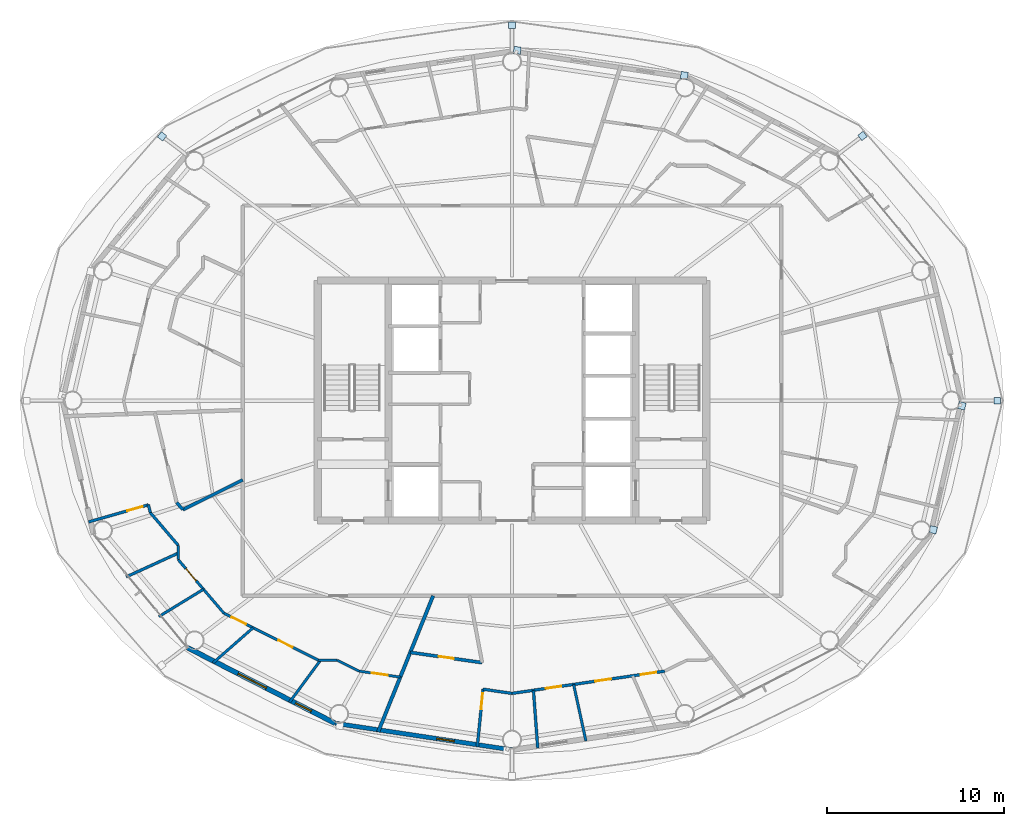
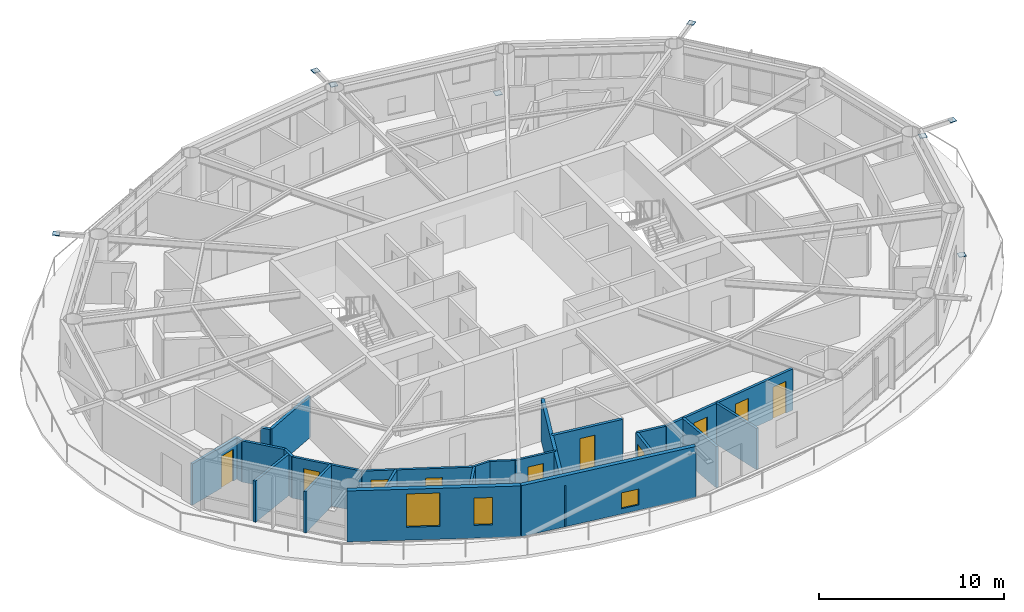
# One storey, part 15 of 23: 25 walls, 10 doors, 8 plates, 3 windows, 13 openings.
"""IFC4 building model written with IfcOpenShell, lengths in metres."""

from ifc_helpers import new_model, si_unit, direction, frame, frame_2d, origin, origin_2d, place, context, subcontext, project, spatial, rectangle, extrude, material, layer, layer_set, type_object, element, fill, save


model = new_model("IFC4")

# Units and contexts
model_context = context("Model", 3, precision=1e-05, world=origin(), true_north=direction((0.0, 1.0)))
body_context = subcontext(model_context, "Body", "Model", "MODEL_VIEW")
ifc_project = project(units=[si_unit("LENGTHUNIT", "METRE"), si_unit("AREAUNIT", "SQUARE_METRE"), si_unit("VOLUMEUNIT", "CUBIC_METRE"), si_unit("PLANEANGLEUNIT", "RADIAN"), si_unit("MASSUNIT", "GRAM", prefix="KILO")], contexts=[model_context])

# Site, building, storey
site_placement = place(None, origin())
site = spatial("IfcSite", under=ifc_project, at=site_placement, CompositionType="ELEMENT")
building_placement = place(site_placement, origin())
building = spatial("IfcBuilding", under=site, at=building_placement, Name="Sarneth Arch Tower", CompositionType="ELEMENT")
storey_placement = place(building_placement, frame((0.0, 0.0, 242.39990234375)))
storey = spatial("IfcBuildingStorey", under=building, at=storey_placement, Name="L62", CompositionType="ELEMENT", Elevation=242.39990234375)

# Plates
ifc_material_1 = material(Name="Steel S355", Category="steel")
ifc_layer_1 = layer(ifc_material_1, 0.035888671875)
ifc_layer_set_1 = layer_set([ifc_layer_1], Name="Steel S355")
plate_type = type_object("IfcPlateType", Name="PLT-GUSSET-30", PredefinedType="SHEET", material=ifc_layer_set_1)
for number, where, z_axis, x_axis, name in (
    (1, (75.482421875, 42.0, 3.18212890625), (0.0, 0.0, 1.0), (1.0, 0.0, 0.0), "Steel end cap plate GP-1"),
    (2, (67.845703125, 56.9892578125, 3.18212890625), (0.0, 0.0, 1.0), (0.798004853043, 0.602651022168, 0.0), "Steel end cap plate GP-1"),
):
    element("IfcPlate", number, at=place(storey_placement, frame(where, z_axis=z_axis, x_axis=x_axis)), inside=storey, type_object=plate_type, Name=name, PredefinedType="SHEET", context=body_context, shape_type="SweptSolid", body=[
        extrude(rectangle(XDim=0.3798828125, YDim=0.3798828125, at=origin_2d()), origin(), (0.0, 0.0, 1.0), 0.035888671875),
    ])
for number, where, z_axis, x_axis, name in (
    (3, (57.754150390625, 60.411376953125, 0.001953125), (0.0, 0.0, 1.0), (-0.988860535448, 0.148845024885, 0.0), "Steel end cap plate GP-1"),
    (4, (48.296630859375, 61.83544921875, 3.0185546875), (0.0, 0.0, 1.0), (-0.988860535448, 0.148845024885, 0.0), "Steel end cap plate GP-1"),
):
    element("IfcPlate", number, at=place(storey_placement, frame(where, z_axis=z_axis, x_axis=x_axis)), inside=storey, type_object=plate_type, Name=name, PredefinedType="SHEET", context=body_context, shape_type="SweptSolid", body=[
        extrude(rectangle(XDim=0.404052734375, YDim=0.404052734375, at=origin_2d()), origin(), (0.0, 0.0, 1.0), 0.035888671875),
    ])
for number, where, z_axis, x_axis, name in (
    (5, (48.0, 63.250732421875, 3.18212890625), (0.0, 0.0, 1.0), (0.0, 1.0, 0.0), "Steel end cap plate GP-1"),
    (6, (28.184814453125, 56.966064453125, 3.18212890625), (0.0, 0.0, 1.0), (-0.798004853043, 0.602651022168, 0.0), "Steel end cap plate GP-1"),
):
    element("IfcPlate", number, at=place(storey_placement, frame(where, z_axis=z_axis, x_axis=x_axis)), inside=storey, type_object=plate_type, Name=name, PredefinedType="SHEET", context=body_context, shape_type="SweptSolid", body=[
        extrude(rectangle(XDim=0.3798828125, YDim=0.3798828125, at=origin_2d()), origin(), (0.0, 0.0, 1.0), 0.035888671875),
    ])
for number, where, z_axis, x_axis, name in (
    (7, (71.851806640625, 34.6845703125, 0.001953125), (0.0, 0.0, 1.0), (0.225461202458, 0.974252147129, 0.0), "Steel end cap plate GP-1"),
    (8, (73.4765625, 41.707763671875, 3.0185546875), (0.0, 0.0, 1.0), (0.225461202458, 0.974252147129, 0.0), "Steel end cap plate GP-1"),
):
    element("IfcPlate", number, at=place(storey_placement, frame(where, z_axis=z_axis, x_axis=x_axis)), inside=storey, type_object=plate_type, Name=name, PredefinedType="SHEET", context=body_context, shape_type="SweptSolid", body=[
        extrude(rectangle(XDim=0.404052734375, YDim=0.404052734375, at=origin_2d()), origin(), (0.0, 0.0, 1.0), 0.035888671875),
    ])

# Wall, opening, window
ifc_material_2 = material(Name="Extruded terracotta rainscreen on Concrete C40/50 backing", Category="masonry")
ifc_layer_2 = layer(ifc_material_2, 0.25)
ifc_layer_set_2 = layer_set([ifc_layer_2], Name="Extruded terracotta rainscreen on Concrete C40/50 backing")
wall_type_1 = type_object("IfcWallType", Name="WALL-EXT-SPAND-250", PredefinedType="SOLIDWALL", material=ifc_layer_set_2)
wall_1_placement = place(storey_placement, frame((37.9873046875, 23.7255859375, 0.0), z_axis=(0.0, 0.0, 1.0), x_axis=(0.988882522213, -0.148698881169, 0.0)))
wall_1 = element("IfcWall", 9, at=wall_1_placement, inside=storey, type_object=wall_type_1, Name="L62 Terracotta perimeter wall 12", PredefinedType="SOLIDWALL", context=body_context, shape_type="SweptSolid", body=[
    extrude(rectangle(XDim=10.125244140625, YDim=0.25, at=frame_2d((5.0625, 0.0))), origin(), (0.0, 0.0, 1.0), 3.360107421875),
])
opening_1_placement = place(wall_1_placement, frame((5.81640625, 0.0, 0.35009765625)))
opening_1 = element("IfcOpeningElement", 10, at=opening_1_placement, cuts=wall_1, Name="Opening W-14", PredefinedType="OPENING", context=body_context, shape_type="SweptSolid", body=[
    extrude(rectangle(XDim=1.0, YDim=1.050048828125, at=frame_2d((0.5, 0.52490234375))), frame((0.0, 0.135009765625, 0.0), z_axis=(0.0, -1.0, 0.0), x_axis=(1.0, 0.0, 0.0)), (0.0, 0.0, 1.0), 0.27001953125),
])
ifc_material_3 = material(Name="Thermally broken Aluminium 6063-T6 and low-e laminated IGU", Category="aluminium")
window_type_1 = type_object("IfcWindowType", Name="WIN-TWR-1000x1050", PartitioningType="SINGLE_PANEL", PredefinedType="WINDOW", material=ifc_material_3)
window_1_placement = place(opening_1_placement, origin())
window_1 = element("IfcWindow", 11, at=window_1_placement, inside=storey, type_object=window_type_1, Name="L62 Dwelling bedroom window 05", OverallHeight=1.050048828125, OverallWidth=1.0, PartitioningType="SINGLE_PANEL", PredefinedType="WINDOW", context=body_context, shape_type="SweptSolid", body=[
    extrude(rectangle(XDim=1.0, YDim=1.050048828125, at=frame_2d((0.5, 0.52490234375))), frame((0.0, 0.030029296875, 0.0), z_axis=(0.0, -1.0, 0.0), x_axis=(1.0, 0.0, 0.0)), (0.0, 0.0, 1.0), 0.06005859375),
])
fill(opening_1, window_1)

# Wall, openings, windows
ifc_material_4 = material(Name="Extruded terracotta rainscreen on Concrete C40/50 backing", Category="masonry")
ifc_layer_3 = layer(ifc_material_4, 0.280029296875)
ifc_layer_set_3 = layer_set([ifc_layer_3], Name="Extruded terracotta rainscreen on Concrete C40/50 backing")
wall_type_2 = type_object("IfcWallType", Name="WALL-EXT-TERRA-280", PredefinedType="SOLIDWALL", material=ifc_layer_set_3)
wall_2_placement = place(storey_placement, frame((29.617431640625, 28.013427734375, 0.0), z_axis=(0.0, 0.0, 1.0), x_axis=(0.890007394051, -0.455946091699, 0.0)))
wall_2 = element("IfcWall", 12, at=wall_2_placement, inside=storey, type_object=wall_type_2, Name="L62 Terracotta perimeter wall 11", PredefinedType="SOLIDWALL", context=body_context, shape_type="SweptSolid", body=[
    extrude(rectangle(XDim=9.404296875, YDim=0.280029296875, at=frame_2d((4.7021484375, 0.0))), origin(), (0.0, 0.0, 1.0), 3.360107421875),
])
opening_2_placement = place(wall_2_placement, frame((3.2236328125, 0.0, 0.85009765625)))
opening_2 = element("IfcOpeningElement", 13, at=opening_2_placement, cuts=wall_2, Name="Opening W-04", PredefinedType="OPENING", context=body_context, shape_type="SweptSolid", body=[
    extrude(rectangle(XDim=1.800048828125, YDim=2.199951171875, at=frame_2d((0.89990234375, 1.10009765625))), frame((0.0, 0.14990234375, 0.0), z_axis=(0.0, -1.0, 0.0), x_axis=(1.0, 0.0, 0.0)), (0.0, 0.0, 1.0), 0.300048828125),
])
opening_3_placement = place(wall_2_placement, frame((6.8828125, 0.0, 0.85009765625)))
opening_3 = element("IfcOpeningElement", 14, at=opening_3_placement, cuts=wall_2, Name="Opening W-11", PredefinedType="OPENING", context=body_context, shape_type="SweptSolid", body=[
    extrude(rectangle(XDim=1.0, YDim=1.800048828125, at=frame_2d((0.5, 0.89990234375))), frame((0.0, 0.14990234375, 0.0), z_axis=(0.0, -1.0, 0.0), x_axis=(1.0, 0.0, 0.0)), (0.0, 0.0, 1.0), 0.300048828125),
])
ifc_material_5 = material(Name="Thermally broken Aluminium 6063-T6 and low-e laminated IGU", Category="aluminium")
window_type_2 = type_object("IfcWindowType", Name="WIN-TWR-1000x1800", PartitioningType="SINGLE_PANEL", PredefinedType="WINDOW", material=ifc_material_5)
window_2_placement = place(opening_3_placement, origin())
window_2 = element("IfcWindow", 15, at=window_2_placement, inside=storey, type_object=window_type_2, Name="L62 Exterior window 11B", OverallHeight=1.800048828125, OverallWidth=1.0, PartitioningType="SINGLE_PANEL", PredefinedType="WINDOW", context=body_context, shape_type="SweptSolid", body=[
    extrude(rectangle(XDim=1.0, YDim=1.800048828125, at=frame_2d((0.5, 0.89990234375))), frame((0.0, 0.030029296875, 0.0), z_axis=(0.0, -1.0, 0.0), x_axis=(1.0, 0.0, 0.0)), (0.0, 0.0, 1.0), 0.06005859375),
])
fill(opening_3, window_2)
ifc_material_6 = material(Name="Thermally broken Aluminium 6063-T6 and low-e laminated IGU", Category="aluminium")
window_type_3 = type_object("IfcWindowType", Name="WIN-TWR-1800x2200", PartitioningType="DOUBLE_PANEL_VERTICAL", PredefinedType="WINDOW", material=ifc_material_6)
window_3_placement = place(opening_2_placement, origin())
window_3 = element("IfcWindow", 16, at=window_3_placement, inside=storey, type_object=window_type_3, Name="L62 Exterior window 11A", OverallHeight=2.199951171875, OverallWidth=1.800048828125, PartitioningType="SINGLE_PANEL", PredefinedType="WINDOW", context=body_context, shape_type="SweptSolid", body=[
    extrude(rectangle(XDim=1.800048828125, YDim=2.199951171875, at=frame_2d((0.89990234375, 1.10009765625))), frame((0.0, 0.030029296875, 0.0), z_axis=(0.0, -1.0, 0.0), x_axis=(1.0, 0.0, 0.0)), (0.0, 0.0, 1.0), 0.06005859375),
])
fill(opening_2, window_3)

# Wall, opening, door
ifc_material_7 = material(Name="Apartment internal stud partition", Category="gypsum")
ifc_layer_4 = layer(ifc_material_7, 0.139892578125)
ifc_layer_set_4 = layer_set([ifc_layer_4], Name="Apartment internal stud partition")
wall_type_3 = type_object("IfcWallType", Name="WALL-PART-140", PredefinedType="PARTITIONING", material=ifc_layer_set_4)
wall_3_placement = place(storey_placement, frame((41.673828125, 26.342529296875, 0.0), z_axis=(0.0, 0.0, 1.0), x_axis=(-0.989532363779, 0.144311125814, 0.0)))
wall_3 = element("IfcWall", 17, at=wall_3_placement, inside=storey, type_object=wall_type_3, Name="L62 Interior partition W-L62-TP-089", PredefinedType="PARTITIONING", context=body_context, shape_type="SweptSolid", body=[
    extrude(rectangle(XDim=2.353271484375, YDim=0.139892578125, at=frame_2d((1.1767578125, 0.0))), origin(), (0.0, 0.0, 1.0), 2.72021484375),
])
opening_4_placement = place(wall_3_placement, frame((0.726806640625, 0.0, 0.0)))
opening_4 = element("IfcOpeningElement", 18, at=opening_4_placement, cuts=wall_3, Name="Opening ID-01", PredefinedType="OPENING", context=body_context, shape_type="SweptSolid", body=[
    extrude(rectangle(XDim=0.89990234375, YDim=2.10009765625, at=frame_2d((0.449951171875, 1.050048828125))), frame((0.0, 0.079833984375, 0.0), z_axis=(0.0, -1.0, 0.0), x_axis=(1.0, 0.0, 0.0)), (0.0, 0.0, 1.0), 0.159912109375),
])
ifc_material_8 = material(Name="Engineered hardwood flush door", Category="wood")
door_type_1 = type_object("IfcDoorType", Name="DR-INT-900", OperationType="SINGLE_SWING_LEFT", PredefinedType="DOOR", material=ifc_material_8)
door_1_placement = place(opening_4_placement, origin())
door_1 = element("IfcDoor", 19, at=door_1_placement, inside=storey, type_object=door_type_1, Name="L62 Interior door DR-L62-U4-BED3", OperationType="SINGLE_SWING_LEFT", OverallHeight=2.10009765625, OverallWidth=0.89990234375, PredefinedType="DOOR", context=body_context, shape_type="SweptSolid", body=[
    extrude(rectangle(XDim=0.89990234375, YDim=2.10009765625, at=frame_2d((0.449951171875, 1.050048828125))), frame((0.0, 0.02490234375, 0.0), z_axis=(0.0, -1.0, 0.0), x_axis=(1.0, 0.0, 0.0)), (0.0, 0.0, 1.0), 0.050048828125),
])
fill(opening_4, door_1)

# Walls
wall_4_placement = place(storey_placement, frame((39.34521484375, 26.68212890625, 0.0), z_axis=(0.0, 0.0, 1.0), x_axis=(-0.895584310315, 0.444891833053, 0.0)))
element("IfcWall", 20, at=wall_4_placement, inside=storey, type_object=wall_type_3, Name="L62 Interior partition W-L62-TP-090", PredefinedType="PARTITIONING", context=body_context, shape_type="SweptSolid", body=[
    extrude(rectangle(XDim=1.388916015625, YDim=0.139892578125, at=frame_2d((0.6943359375, 0.0))), origin(), (0.0, 0.0, 1.0), 2.72021484375),
])
wall_5_placement = place(storey_placement, frame((38.101318359375, 27.300048828125, 0.0), z_axis=(0.0, 0.0, 1.0), x_axis=(-1.0, 0.0, 0.0)))
element("IfcWall", 21, at=wall_5_placement, inside=storey, type_object=wall_type_3, Name="L62 Interior partition W-L62-TP-091", PredefinedType="PARTITIONING", context=body_context, shape_type="SweptSolid", body=[
    extrude(rectangle(XDim=1.065185546875, YDim=0.139892578125, at=frame_2d((0.53271484375, 0.0))), origin(), (0.0, 0.0, 1.0), 2.72021484375),
])

# Wall, openings, doors
ifc_material_9 = material(Name="Acoustic gypsum stud partition", Category="gypsum")
ifc_layer_5 = layer(ifc_material_9, 0.14990234375)
ifc_layer_set_5 = layer_set([ifc_layer_5], Name="Acoustic gypsum stud partition")
wall_type_4 = type_object("IfcWallType", Name="WALL-PART-150", PredefinedType="PARTITIONING", material=ifc_layer_set_5)
wall_6_placement = place(storey_placement, frame((37.0361328125, 27.300048828125, 0.0), z_axis=(0.0, 0.0, 1.0), x_axis=(-0.895471406875, 0.445119039661, 0.0)))
wall_6 = element("IfcWall", 22, at=wall_6_placement, inside=storey, type_object=wall_type_4, Name="L62 Interior partition W-L62-TP-088", PredefinedType="PARTITIONING", context=body_context, shape_type="SweptSolid", body=[
    extrude(rectangle(XDim=5.971435546875, YDim=0.14990234375, at=frame_2d((2.98583984375, 0.0))), origin(), (0.0, 0.0, 1.0), 2.72021484375),
])
opening_5_placement = place(wall_6_placement, frame((1.630615234375, 0.0, 0.0)))
opening_5 = element("IfcOpeningElement", 23, at=opening_5_placement, cuts=wall_6, Name="Opening ID-01", PredefinedType="OPENING", context=body_context, shape_type="SweptSolid", body=[
    extrude(rectangle(XDim=0.89990234375, YDim=2.10009765625, at=frame_2d((0.449951171875, 1.050048828125))), frame((0.0, 0.0849609375, 0.0), z_axis=(0.0, -1.0, 0.0), x_axis=(1.0, 0.0, 0.0)), (0.0, 0.0, 1.0), 0.169921875),
])
opening_6_placement = place(wall_6_placement, frame((4.581787109375, 0.0, 0.0)))
opening_6 = element("IfcOpeningElement", 24, at=opening_6_placement, cuts=wall_6, Name="Opening ID-01", PredefinedType="OPENING", context=body_context, shape_type="SweptSolid", body=[
    extrude(rectangle(XDim=0.89990234375, YDim=2.10009765625, at=frame_2d((0.449951171875, 1.050048828125))), frame((0.0, 0.0849609375, 0.0), z_axis=(0.0, -1.0, 0.0), x_axis=(1.0, 0.0, 0.0)), (0.0, 0.0, 1.0), 0.169921875),
])
door_2_placement = place(opening_5_placement, origin())
door_2 = element("IfcDoor", 25, at=door_2_placement, inside=storey, type_object=door_type_1, Name="L62 Interior door DR-L62-U4-BED2", OperationType="SINGLE_SWING_LEFT", OverallHeight=2.10009765625, OverallWidth=0.89990234375, PredefinedType="DOOR", context=body_context, shape_type="SweptSolid", body=[
    extrude(rectangle(XDim=0.89990234375, YDim=2.10009765625, at=frame_2d((0.449951171875, 1.050048828125))), frame((0.0, 0.02490234375, 0.0), z_axis=(0.0, -1.0, 0.0), x_axis=(1.0, 0.0, 0.0)), (0.0, 0.0, 1.0), 0.050048828125),
])
fill(opening_5, door_2)
door_3_placement = place(opening_6_placement, origin())
door_3 = element("IfcDoor", 26, at=door_3_placement, inside=storey, type_object=door_type_1, Name="L62 Interior door DR-L62-U4-BED1", OperationType="SINGLE_SWING_LEFT", OverallHeight=2.10009765625, OverallWidth=0.89990234375, PredefinedType="DOOR", context=body_context, shape_type="SweptSolid", body=[
    extrude(rectangle(XDim=0.89990234375, YDim=2.10009765625, at=frame_2d((0.449951171875, 1.050048828125))), frame((0.0, 0.02490234375, 0.0), z_axis=(0.0, -1.0, 0.0), x_axis=(1.0, 0.0, 0.0)), (0.0, 0.0, 1.0), 0.050048828125),
])
fill(opening_6, door_3)

# Walls
wall_7_placement = place(storey_placement, frame((52.184814453125, 22.72802734375, 0.0), z_axis=(0.0, 0.0, 1.0), x_axis=(-0.212200652442, 0.977226116671, 0.0)))
element("IfcWall", 27, at=wall_7_placement, inside=storey, type_object=wall_type_4, Name="L62 Interior partition W-L62-TP-112", PredefinedType="PARTITIONING", context=body_context, shape_type="SweptSolid", body=[
    extrude(rectangle(XDim=3.275634765625, YDim=0.14990234375, at=frame_2d((1.6376953125, 0.0))), origin(), (0.0, 0.0, 1.0), 2.72021484375),
])
wall_8_placement = place(storey_placement, frame((31.069580078125, 27.144287109375, 0.0), z_axis=(0.0, 0.0, 1.0), x_axis=(0.751664931329, 0.659545169803, 0.0)))
element("IfcWall", 28, at=wall_8_placement, inside=storey, type_object=wall_type_4, Name="L62 Interior partition W-L62-TP-096", PredefinedType="PARTITIONING", context=body_context, shape_type="SweptSolid", body=[
    extrude(rectangle(XDim=3.021240234375, YDim=0.14990234375, at=frame_2d((1.5107421875, 0.0))), origin(), (0.0, 0.0, 1.0), 2.72021484375),
])
wall_9_placement = place(storey_placement, frame((35.400634765625, 24.917724609375, 0.0), z_axis=(0.0, 0.0, 1.0), x_axis=(0.593567519028, 0.804784194897, 0.0)))
element("IfcWall", 29, at=wall_9_placement, inside=storey, type_object=wall_type_4, Name="L62 Interior partition W-L62-TP-097", PredefinedType="PARTITIONING", context=body_context, shape_type="SweptSolid", body=[
    extrude(rectangle(XDim=2.960205078125, YDim=0.14990234375, at=frame_2d((1.47998046875, 0.0))), origin(), (0.0, 0.0, 1.0), 2.72021484375),
])
wall_10_placement = place(storey_placement, frame((28.007080078125, 29.772705078125, 0.0), z_axis=(0.0, 0.0, 1.0), x_axis=(0.853114487653, 0.521723749657, 0.0)))
element("IfcWall", 30, at=wall_10_placement, inside=storey, type_object=wall_type_4, Name="L62 Interior partition W-L62-TP-095", PredefinedType="PARTITIONING", context=body_context, shape_type="SweptSolid", body=[
    extrude(rectangle(XDim=2.9580078125, YDim=0.14990234375, at=frame_2d((1.47900390625, 0.0))), origin(), (0.0, 0.0, 1.0), 2.72021484375),
])

# Wall, opening, door
wall_11_placement = place(storey_placement, frame((31.688720703125, 29.9580078125, 0.0), z_axis=(0.0, 0.0, 1.0), x_axis=(-0.648949732188, 0.760831285564, 0.0)))
wall_11 = element("IfcWall", 31, at=wall_11_placement, inside=storey, type_object=wall_type_4, Name="L62 Interior partition W-L62-TP-076", PredefinedType="PARTITIONING", context=body_context, shape_type="SweptSolid", body=[
    extrude(rectangle(XDim=3.989013671875, YDim=0.14990234375, at=frame_2d((1.99462890625, 0.0))), origin(), (0.0, 0.0, 1.0), 2.72021484375),
])
opening_7_placement = place(wall_11_placement, frame((2.4208984375, 0.0, 0.0)))
opening_7 = element("IfcOpeningElement", 32, at=opening_7_placement, cuts=wall_11, Name="Opening ID-01", PredefinedType="OPENING", context=body_context, shape_type="SweptSolid", body=[
    extrude(rectangle(XDim=0.89990234375, YDim=2.10009765625, at=frame_2d((0.449951171875, 1.050048828125))), frame((0.0, 0.0849609375, 0.0), z_axis=(0.0, -1.0, 0.0), x_axis=(1.0, 0.0, 0.0)), (0.0, 0.0, 1.0), 0.169921875),
])
door_4_placement = place(opening_7_placement, origin())
door_4 = element("IfcDoor", 33, at=door_4_placement, inside=storey, type_object=door_type_1, Name="L62 Interior door DR-L62-U4-STD", OperationType="SINGLE_SWING_RIGHT", OverallHeight=2.10009765625, OverallWidth=0.89990234375, PredefinedType="DOOR", context=body_context, shape_type="SweptSolid", body=[
    extrude(rectangle(XDim=0.89990234375, YDim=2.10009765625, at=frame_2d((0.449951171875, 1.050048828125))), frame((0.0, 0.02490234375, 0.0), z_axis=(0.0, -1.0, 0.0), x_axis=(1.0, 0.0, 0.0)), (0.0, 0.0, 1.0), 0.050048828125),
])
fill(opening_7, door_4)

ifc_material_10 = material(Name="Kitchen wet service chase wall", Category="gypsum")
ifc_layer_6 = layer(ifc_material_10, 0.159912109375)
ifc_layer_set_6 = layer_set([ifc_layer_6], Name="Kitchen wet service chase wall")
wall_type_5 = type_object("IfcWallType", Name="WALL-PLUMB-160", PredefinedType="PLUMBINGWALL", material=ifc_layer_set_6)
wall_12_placement = place(storey_placement, frame((24.021728515625, 35.127197265625, 0.0), z_axis=(0.0, 0.0, 1.0), x_axis=(0.961283331924, 0.275561890988, 0.0)))
wall_12 = element("IfcWall", 34, at=wall_12_placement, inside=storey, type_object=wall_type_5, Name="L62 Interior partition W-L62-TP-078", PredefinedType="PLUMBINGWALL", context=body_context, shape_type="SweptSolid", body=[
    extrude(rectangle(XDim=3.52783203125, YDim=0.159912109375, at=frame_2d((1.763916015625, 0.0))), origin(), (0.0, 0.0, 1.0), 2.72021484375),
])
opening_8_placement = place(wall_12_placement, frame((2.27392578125, 0.0, 0.0)))
opening_8 = element("IfcOpeningElement", 35, at=opening_8_placement, cuts=wall_12, Name="Opening ID-01", PredefinedType="OPENING", context=body_context, shape_type="SweptSolid", body=[
    extrude(rectangle(XDim=0.89990234375, YDim=2.10009765625, at=frame_2d((0.449951171875, 1.050048828125))), frame((0.0, 0.08984375, 0.0), z_axis=(0.0, -1.0, 0.0), x_axis=(1.0, 0.0, 0.0)), (0.0, 0.0, 1.0), 0.179931640625),
])
door_5_placement = place(opening_8_placement, origin())
door_5 = element("IfcDoor", 36, at=door_5_placement, inside=storey, type_object=door_type_1, Name="L62 Interior door DR-L62-U4-KIT", OperationType="SINGLE_SWING_RIGHT", OverallHeight=2.10009765625, OverallWidth=0.89990234375, PredefinedType="DOOR", context=body_context, shape_type="SweptSolid", body=[
    extrude(rectangle(XDim=0.89990234375, YDim=2.10009765625, at=frame_2d((0.449951171875, 1.050048828125))), frame((0.0, 0.02490234375, 0.0), z_axis=(0.0, -1.0, 0.0), x_axis=(1.0, 0.0, 0.0)), (0.0, 0.0, 1.0), 0.050048828125),
])
fill(opening_8, door_5)

# Wall, openings, doors
wall_13_placement = place(storey_placement, frame((48.0, 25.420166015625, 0.0), z_axis=(0.0, 0.0, 1.0), x_axis=(0.989540121389, 0.144257922351, 0.0)))
wall_13 = element("IfcWall", 37, at=wall_13_placement, inside=storey, type_object=wall_type_5, Name="L62 Interior partition W-L62-TP-105", PredefinedType="PLUMBINGWALL", context=body_context, shape_type="SweptSolid", body=[
    extrude(rectangle(XDim=8.746337890625, YDim=0.159912109375, at=frame_2d((4.373046875, 0.0))), origin(), (0.0, 0.0, 1.0), 2.72021484375),
])
opening_9_placement = place(wall_13_placement, frame((4.7646484375, 0.0, 0.0)))
opening_9 = element("IfcOpeningElement", 38, at=opening_9_placement, cuts=wall_13, Name="Opening ID-01", PredefinedType="OPENING", context=body_context, shape_type="SweptSolid", body=[
    extrude(rectangle(XDim=0.89990234375, YDim=2.10009765625, at=frame_2d((0.449951171875, 1.050048828125))), frame((0.0, 0.08984375, 0.0), z_axis=(0.0, -1.0, 0.0), x_axis=(1.0, 0.0, 0.0)), (0.0, 0.0, 1.0), 0.179931640625),
])
opening_10_placement = place(wall_13_placement, frame((1.927001953125, 0.0, 0.0)))
opening_10 = element("IfcOpeningElement", 39, at=opening_10_placement, cuts=wall_13, Name="Opening ID-01", PredefinedType="OPENING", context=body_context, shape_type="SweptSolid", body=[
    extrude(rectangle(XDim=0.89990234375, YDim=2.10009765625, at=frame_2d((0.449951171875, 1.050048828125))), frame((0.0, 0.08984375, 0.0), z_axis=(0.0, -1.0, 0.0), x_axis=(1.0, 0.0, 0.0)), (0.0, 0.0, 1.0), 0.179931640625),
])
opening_11_placement = place(wall_13_placement, frame((7.35791015625, 0.0, 0.0)))
opening_11 = element("IfcOpeningElement", 40, at=opening_11_placement, cuts=wall_13, Name="Opening ID-01", PredefinedType="OPENING", context=body_context, shape_type="SweptSolid", body=[
    extrude(rectangle(XDim=0.89990234375, YDim=2.10009765625, at=frame_2d((0.449951171875, 1.050048828125))), frame((0.0, 0.08984375, 0.0), z_axis=(0.0, -1.0, 0.0), x_axis=(1.0, 0.0, 0.0)), (0.0, 0.0, 1.0), 0.179931640625),
])
door_6_placement = place(opening_9_placement, origin())
door_6 = element("IfcDoor", 41, at=door_6_placement, inside=storey, type_object=door_type_1, Name="L62 Interior door DR-L62-U5-BED2", OperationType="SINGLE_SWING_LEFT", OverallHeight=2.10009765625, OverallWidth=0.89990234375, PredefinedType="DOOR", context=body_context, shape_type="SweptSolid", body=[
    extrude(rectangle(XDim=0.89990234375, YDim=2.10009765625, at=frame_2d((0.449951171875, 1.050048828125))), frame((0.0, 0.02490234375, 0.0), z_axis=(0.0, -1.0, 0.0), x_axis=(1.0, 0.0, 0.0)), (0.0, 0.0, 1.0), 0.050048828125),
])
fill(opening_9, door_6)
door_7_placement = place(opening_10_placement, origin())
door_7 = element("IfcDoor", 42, at=door_7_placement, inside=storey, type_object=door_type_1, Name="L62 Interior door DR-L62-U5-BED1", OperationType="SINGLE_SWING_RIGHT", OverallHeight=2.10009765625, OverallWidth=0.89990234375, PredefinedType="DOOR", context=body_context, shape_type="SweptSolid", body=[
    extrude(rectangle(XDim=0.89990234375, YDim=2.10009765625, at=frame_2d((0.449951171875, 1.050048828125))), frame((0.0, 0.02490234375, 0.0), z_axis=(0.0, -1.0, 0.0), x_axis=(1.0, 0.0, 0.0)), (0.0, 0.0, 1.0), 0.050048828125),
])
fill(opening_10, door_7)
door_8_placement = place(opening_11_placement, origin())
door_8 = element("IfcDoor", 43, at=door_8_placement, inside=storey, type_object=door_type_1, Name="L62 Interior door DR-L62-U5-BED3", OperationType="SINGLE_SWING_RIGHT", OverallHeight=2.10009765625, OverallWidth=0.89990234375, PredefinedType="DOOR", context=body_context, shape_type="SweptSolid", body=[
    extrude(rectangle(XDim=0.89990234375, YDim=2.10009765625, at=frame_2d((0.449951171875, 1.050048828125))), frame((0.0, 0.02490234375, 0.0), z_axis=(0.0, -1.0, 0.0), x_axis=(1.0, 0.0, 0.0)), (0.0, 0.0, 1.0), 0.050048828125),
])
fill(opening_11, door_8)

# Wall
wall_14_placement = place(storey_placement, frame((49.45751953125, 22.318115234375, 0.0), z_axis=(0.0, 0.0, 1.0), x_axis=(-0.073879890619, 0.997267146637, 0.0)))
element("IfcWall", 44, at=wall_14_placement, inside=storey, type_object=wall_type_5, Name="L62 Interior partition W-L62-TP-111", PredefinedType="PLUMBINGWALL", context=body_context, shape_type="SweptSolid", body=[
    extrude(rectangle(XDim=3.2880859375, YDim=0.159912109375, at=frame_2d((1.64404296875, 0.0))), origin(), (0.0, 0.0, 1.0), 2.72021484375),
])

# Wall, opening, door
wall_15_placement = place(storey_placement, frame((46.36181640625, 25.658935546875, 0.0), z_axis=(0.0, 0.0, 1.0), x_axis=(-0.099783673114, -0.995009155023, 0.0)))
wall_15 = element("IfcWall", 45, at=wall_15_placement, inside=storey, type_object=wall_type_5, Name="L62 Interior partition W-L62-TP-101", PredefinedType="PLUMBINGWALL", context=body_context, shape_type="SweptSolid", body=[
    extrude(rectangle(XDim=3.281005859375, YDim=0.159912109375, at=frame_2d((1.640625, 0.0))), origin(), (0.0, 0.0, 1.0), 2.72021484375),
])
opening_12_placement = place(wall_15_placement, frame((0.23046875, 0.0, 0.0)))
opening_12 = element("IfcOpeningElement", 46, at=opening_12_placement, cuts=wall_15, Name="Opening ID-01", PredefinedType="OPENING", context=body_context, shape_type="SweptSolid", body=[
    extrude(rectangle(XDim=0.89990234375, YDim=2.10009765625, at=frame_2d((0.449951171875, 1.050048828125))), frame((0.0, 0.08984375, 0.0), z_axis=(0.0, -1.0, 0.0), x_axis=(1.0, 0.0, 0.0)), (0.0, 0.0, 1.0), 0.179931640625),
])
door_9_placement = place(opening_12_placement, origin())
door_9 = element("IfcDoor", 47, at=door_9_placement, inside=storey, type_object=door_type_1, Name="L62 Interior door DR-L62-U5-KIT", OperationType="SINGLE_SWING_LEFT", OverallHeight=2.10009765625, OverallWidth=0.89990234375, PredefinedType="DOOR", context=body_context, shape_type="SweptSolid", body=[
    extrude(rectangle(XDim=0.89990234375, YDim=2.10009765625, at=frame_2d((0.449951171875, 1.050048828125))), frame((0.0, 0.02490234375, 0.0), z_axis=(0.0, -1.0, 0.0), x_axis=(1.0, 0.0, 0.0)), (0.0, 0.0, 1.0), 0.050048828125),
])
fill(opening_12, door_9)

# Walls
wall_16_placement = place(storey_placement, frame((26.153076171875, 32.017578125, 0.0), z_axis=(0.0, 0.0, 1.0), x_axis=(0.909564814539, 0.415562087001, 0.0)))
element("IfcWall", 48, at=wall_16_placement, inside=storey, type_object=wall_type_5, Name="L62 Interior partition W-L62-TP-094", PredefinedType="PLUMBINGWALL", context=body_context, shape_type="SweptSolid", body=[
    extrude(rectangle(XDim=3.239990234375, YDim=0.159912109375, at=frame_2d((1.6201171875, 0.0))), origin(), (0.0, 0.0, 1.0), 2.72021484375),
])
wall_17_placement = place(storey_placement, frame((27.51904296875, 35.655029296875, 0.0), z_axis=(0.0, 0.0, 1.0), x_axis=(0.649270866973, -0.760557257082, 0.0)))
element("IfcWall", 49, at=wall_17_placement, inside=storey, type_object=wall_type_5, Name="L62 Interior partition W-L62-TP-080", PredefinedType="PLUMBINGWALL", context=body_context, shape_type="SweptSolid", body=[
    extrude(rectangle(XDim=2.43505859375, YDim=0.159912109375, at=frame_2d((1.217529296875, 0.0))), origin(), (0.0, 0.0, 1.0), 2.72021484375),
])
wall_18_placement = place(storey_placement, frame((48.0, 25.419921875, 0.0), z_axis=(0.0, 0.0, 1.0), x_axis=(-0.989523327183, 0.144373075605, 0.0)))
element("IfcWall", 50, at=wall_18_placement, inside=storey, type_object=wall_type_5, Name="L62 Interior partition W-L62-TP-100", PredefinedType="PLUMBINGWALL", context=body_context, shape_type="SweptSolid", body=[
    extrude(rectangle(XDim=1.655517578125, YDim=0.159912109375, at=frame_2d((0.82763671875, 0.0))), origin(), (0.0, 0.0, 1.0), 2.72021484375),
])
wall_19_placement = place(storey_placement, frame((27.4130859375, 36.099365234375, 0.0), z_axis=(0.0, 0.0, 1.0), x_axis=(0.2319577079, -0.972725871839, 0.0)))
element("IfcWall", 51, at=wall_19_placement, inside=storey, type_object=wall_type_5, Name="L62 Interior partition W-L62-TP-079", PredefinedType="PLUMBINGWALL", context=body_context, shape_type="SweptSolid", body=[
    extrude(rectangle(XDim=0.456787109375, YDim=0.159912109375, at=frame_2d((0.228515625, 0.0))), origin(), (0.0, 0.0, 1.0), 2.72021484375),
])
wall_20_placement = place(storey_placement, frame((29.10009765625, 33.802978515625, 0.0), z_axis=(0.0, 0.0, 1.0), x_axis=(0.0, -1.0, 0.0)))
element("IfcWall", 52, at=wall_20_placement, inside=storey, type_object=wall_type_5, Name="L62 Interior partition W-L62-TP-081", PredefinedType="PLUMBINGWALL", context=body_context, shape_type="SweptSolid", body=[
    extrude(rectangle(XDim=0.81005859375, YDim=0.159912109375, at=frame_2d((0.405029296875, 0.0))), origin(), (0.0, 0.0, 1.0), 2.72021484375),
])

# Wall, opening, door
ifc_material_11 = material(Name="Moisture-resistant plumbing chase wall", Category="gypsum")
ifc_layer_7 = layer(ifc_material_11, 0.179931640625)
ifc_layer_set_7 = layer_set([ifc_layer_7], Name="Moisture-resistant plumbing chase wall")
wall_type_6 = type_object("IfcWallType", Name="WALL-PLUMB-180", PredefinedType="PLUMBINGWALL", material=ifc_layer_set_7)
wall_21_placement = place(storey_placement, frame((46.30859375, 27.162109375, 0.0), z_axis=(0.0, 0.0, 1.0), x_axis=(-0.989929285776, 0.141562739319, 0.0)))
wall_21 = element("IfcWall", 53, at=wall_21_placement, inside=storey, type_object=wall_type_6, Name="L62 Interior partition W-L62-TP-103", PredefinedType="PLUMBINGWALL", context=body_context, shape_type="SweptSolid", body=[
    extrude(rectangle(XDim=4.10986328125, YDim=0.179931640625, at=frame_2d((2.054931640625, 0.0))), origin(), (0.0, 0.0, 1.0), 2.72021484375),
])
opening_13_placement = place(wall_21_placement, frame((1.6298828125, 0.0, 0.0)))
opening_13 = element("IfcOpeningElement", 54, at=opening_13_placement, cuts=wall_21, Name="Opening ID-02", PredefinedType="OPENING", context=body_context, shape_type="SweptSolid", body=[
    extrude(rectangle(XDim=0.85009765625, YDim=2.10009765625, at=frame_2d((0.425048828125, 1.050048828125))), frame((0.0, 0.099853515625, 0.0), z_axis=(0.0, -1.0, 0.0), x_axis=(1.0, 0.0, 0.0)), (0.0, 0.0, 1.0), 0.199951171875),
])
ifc_material_12 = material(Name="Moisture-resistant bathroom timber door", Category="wood")
door_type_2 = type_object("IfcDoorType", Name="DR-INT-850", OperationType="SINGLE_SWING_RIGHT", PredefinedType="DOOR", material=ifc_material_12)
door_10_placement = place(opening_13_placement, origin())
door_10 = element("IfcDoor", 55, at=door_10_placement, inside=storey, type_object=door_type_2, Name="L62 Interior door DR-L62-U5-BATH", OperationType="SINGLE_SWING_RIGHT", OverallHeight=2.10009765625, OverallWidth=0.85009765625, PredefinedType="DOOR", context=body_context, shape_type="SweptSolid", body=[
    extrude(rectangle(XDim=0.85009765625, YDim=2.10009765625, at=frame_2d((0.425048828125, 1.050048828125))), frame((0.0, 0.02490234375, 0.0), z_axis=(0.0, -1.0, 0.0), x_axis=(1.0, 0.0, 0.0)), (0.0, 0.0, 1.0), 0.050048828125),
])
fill(opening_13, door_10)

# Walls
wall_22_placement = place(storey_placement, frame((32.75, 37.50634765625, 0.0), z_axis=(0.0, 0.0, 1.0), x_axis=(-0.895689326872, -0.444680368049, 0.0)))
element("IfcWall", 56, at=wall_22_placement, inside=storey, type_object=wall_type_6, Name="L62 Interior partition W-L62-TP-082", PredefinedType="PLUMBINGWALL", context=body_context, shape_type="SweptSolid", body=[
    extrude(rectangle(XDim=3.780517578125, YDim=0.179931640625, at=frame_2d((1.89013671875, 0.0))), origin(), (0.0, 0.0, 1.0), 2.72021484375),
])
wall_23_placement = place(storey_placement, frame((29.36376953125, 35.8251953125, 0.0), z_axis=(0.0, 0.0, 1.0), x_axis=(-0.656370670785, 0.754438561139, 0.0)))
element("IfcWall", 57, at=wall_23_placement, inside=storey, type_object=wall_type_6, Name="L62 Interior partition W-L62-TP-083", PredefinedType="PLUMBINGWALL", context=body_context, shape_type="SweptSolid", body=[
    extrude(rectangle(XDim=0.53515625, YDim=0.179931640625, at=frame_2d((0.267578125, 0.0))), origin(), (0.0, 0.0, 1.0), 2.72021484375),
])
ifc_material_13 = material(Name="Double steel-stud acoustic drywall", Category="steel")
ifc_layer_8 = layer(ifc_material_13, 0.199951171875)
ifc_layer_set_8 = layer_set([ifc_layer_8], Name="Double steel-stud acoustic drywall")
wall_type_7 = type_object("IfcWallType", Name="WALL-UNIT-200", PredefinedType="PARTITIONING", material=ifc_layer_set_8)
wall_24_placement = place(storey_placement, frame((43.535400390625, 30.949951171875, 0.0), z_axis=(0.0, 0.0, 1.0), x_axis=(-0.374594584492, -0.927188706397, 0.0)))
element("IfcWall", 58, at=wall_24_placement, inside=storey, type_object=wall_type_7, Name="L62 Interior partition W-L62-TP-093", PredefinedType="PARTITIONING", context=body_context, shape_type="SweptSolid", body=[
    extrude(rectangle(XDim=5.002197265625, YDim=0.199951171875, at=frame_2d((2.5009765625, 0.0))), origin(), (0.0, 0.0, 1.0), 2.72021484375),
])
wall_25_placement = place(storey_placement, frame((40.421142578125, 23.24169921875, 0.0), z_axis=(0.0, 0.0, 1.0), x_axis=(0.374604084458, 0.927184868248, 0.0)))
element("IfcWall", 59, at=wall_25_placement, inside=storey, type_object=wall_type_7, Name="L62 Interior partition W-L62-TP-098", PredefinedType="PARTITIONING", context=body_context, shape_type="SweptSolid", body=[
    extrude(rectangle(XDim=3.377197265625, YDim=0.199951171875, at=frame_2d((1.6884765625, 0.0))), origin(), (0.0, 0.0, 1.0), 2.72021484375),
])

save(model, "model.ifc")
